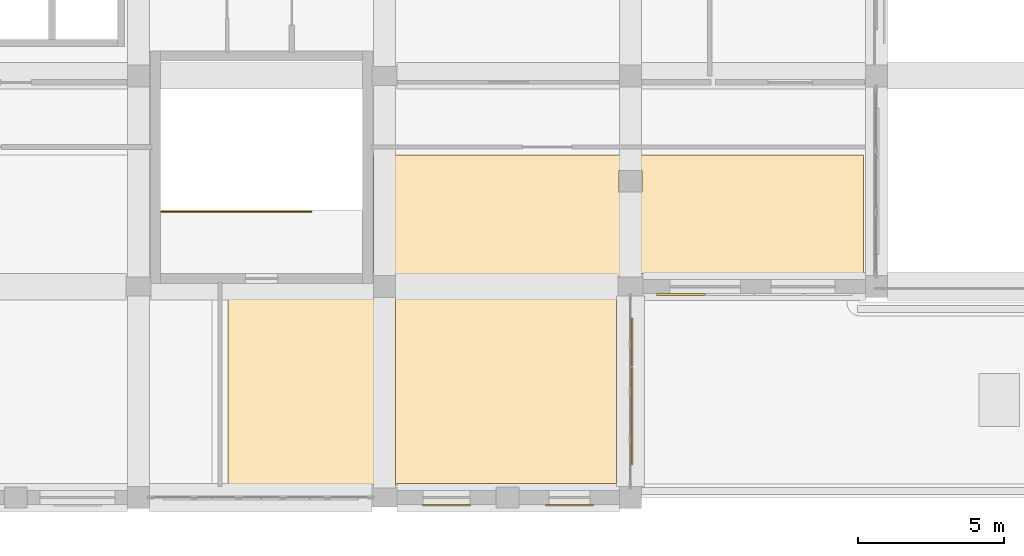
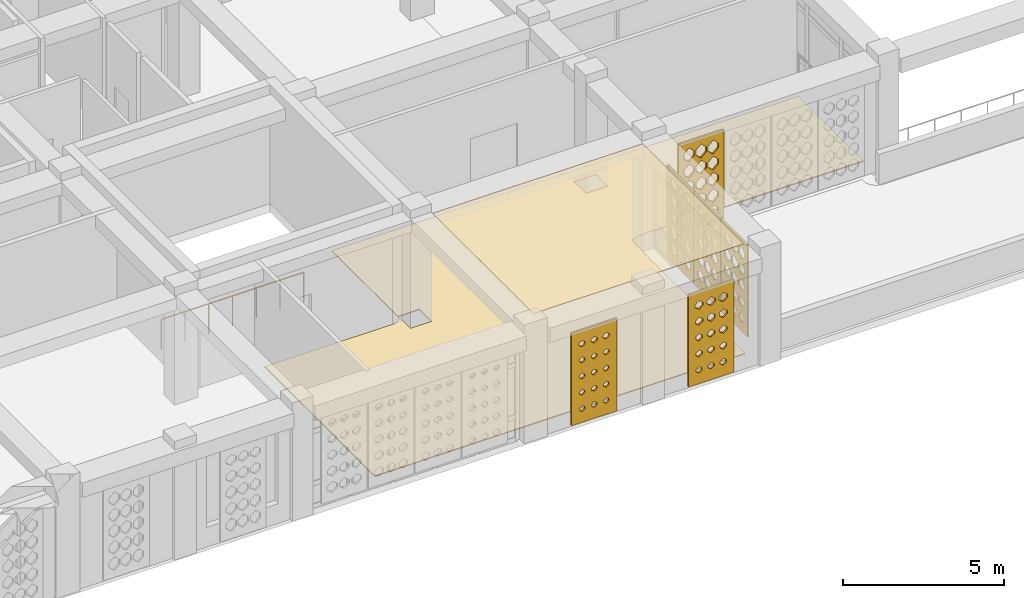
# One storey, part 77 of 111: 8 coverings, 1 railing.
"""IFC4 building model written with IfcOpenShell, lengths in metres."""

from ifc_helpers import new_model, si_unit, derived_unit, direction, frame, origin, origin_2d, place, context, subcontext, project, spatial, polyline, circle, outline, extrude, material, layer, layer_set, type_object, element, save


model = new_model("IFC4")

# Units and contexts
model_context = context("Model", 3, precision=1e-05, world=origin(), true_north=direction((0.0, 1.0)))
body_context = subcontext(model_context, "Body", "Model", "MODEL_VIEW")
ifc_project = project(units=[si_unit("LENGTHUNIT", "METRE"), si_unit("AREAUNIT", "SQUARE_METRE"), si_unit("VOLUMEUNIT", "CUBIC_METRE"), si_unit("PLANEANGLEUNIT", "RADIAN"), si_unit("MASSUNIT", "GRAM", prefix="KILO"), derived_unit("THERMALTRANSMITTANCEUNIT", [(si_unit("POWERUNIT", "WATT"), 1), (si_unit("LENGTHUNIT", "METRE"), -2), (si_unit("THERMODYNAMICTEMPERATUREUNIT", "KELVIN"), -1)])], contexts=[model_context])

# Site, building, storey
site_placement = place(None, origin())
site = spatial("IfcSite", under=ifc_project, at=site_placement, CompositionType="ELEMENT")
building_placement = place(site_placement, origin())
building = spatial("IfcBuilding", under=site, at=building_placement, Name="Veybourne Emporium", CompositionType="ELEMENT")
storey_placement = place(building_placement, frame((0.0, 0.0, 9.89990234375)))
storey = spatial("IfcBuildingStorey", under=building, at=storey_placement, Name="L02", CompositionType="ELEMENT", Elevation=9.89990234375)

# Coverings
ifc_material_1 = material(Name="Mineral Acoustic Ceiling", Category="gypsum")
ifc_layer_1 = layer(ifc_material_1, 0.02490234375)
ifc_layer_set_1 = layer_set([ifc_layer_1], Name="Mineral Acoustic Ceiling")
covering_type_1 = type_object("IfcCoveringType", Name="Ceiling_CLG-01", PredefinedType="CEILING", material=ifc_layer_set_1)
covering_1_placement = place(storey_placement, frame((0.0, 0.0, 4.155029296875)))
element("IfcCovering", 1, at=covering_1_placement, inside=storey, type_object=covering_type_1, Name="L02 coffered acoustic ceiling 02", PredefinedType="CEILING", context=body_context, shape_type="SweptSolid", body=[
    extrude(outline(polyline([(42.373046875, 0.43994140625), (42.373046875, 6.820068359375), (42.375, 6.820068359375), (42.375, 6.751953125), (49.927001953125, 6.751953125), (49.927001953125, 0.472900390625), (42.425048828125, 0.472900390625), (42.425048828125, 0.43994140625), (42.373046875, 0.43994140625)])), origin(), (0.0, 0.0, 1.0), 0.025146484375),
])
ifc_material_2 = material(Name="European Oak Parquet", Category="wood")
ifc_layer_2 = layer(ifc_material_2, 0.034912109375)
ifc_layer_set_2 = layer_set([ifc_layer_2], Name="European Oak Parquet")
covering_type_2 = type_object("IfcCoveringType", Name="Flooring_FLR-02", PredefinedType="FLOORING", material=ifc_layer_set_2)
covering_2_placement = place(storey_placement, origin())
element("IfcCovering", 2, at=covering_2_placement, inside=storey, type_object=covering_type_2, Name="L02 floor finish 02", PredefinedType="FLOORING", context=body_context, shape_type="SweptSolid", body=[
    extrude(outline(polyline([(41.294921875, 7.29296875), (41.310546875, 7.295166015625), (41.329833984375, 7.299072265625), (41.344970703125, 7.302978515625), (41.36376953125, 7.30859375), (41.378662109375, 7.31396484375), (41.396728515625, 7.3212890625), (41.410888671875, 7.328125), (41.42822265625, 7.33740234375), (41.441650390625, 7.345458984375), (41.4580078125, 7.3564453125), (41.470703125, 7.36572265625), (41.48583984375, 7.378173828125), (41.497314453125, 7.388671875), (41.511474609375, 7.402587890625), (41.52197265625, 7.414306640625), (41.5341796875, 7.42919921875), (41.543701171875, 7.44189453125), (41.5546875, 7.458251953125), (41.562744140625, 7.4716796875), (41.572021484375, 7.489013671875), (41.57861328125, 7.503173828125), (41.586181640625, 7.521484375), (41.59130859375, 7.5361328125), (41.59716796875, 7.554931640625), (41.600830078125, 7.570068359375), (41.604736328125, 7.589599609375), (41.607177734375, 7.60498046875), (41.60888671875, 7.62451171875), (41.60986328125, 7.64013671875), (41.610107421875, 7.64990234375), (41.610107421875, 11.68994140625), (58.360107421875, 11.68994140625), (58.360107421875, 7.639892578125), (50.39990234375, 7.639892578125), (50.39013671875, 7.6396484375), (50.36669921875, 7.638671875), (50.34716796875, 7.63671875), (50.323974609375, 7.63330078125), (50.3046875, 7.62939453125), (50.28173828125, 7.623779296875), (50.262939453125, 7.617919921875), (50.24072265625, 7.610107421875), (50.22265625, 7.6025390625), (50.201416015625, 7.592529296875), (50.18408203125, 7.583251953125), (50.163818359375, 7.571044921875), (50.1474609375, 7.56005859375), (50.128662109375, 7.546142578125), (50.113525390625, 7.53369140625), (50.109375, 7.530029296875), (49.969970703125, 7.530029296875), (49.969970703125, 7.29248046875), (49.966796875, 7.276123046875), (49.96337890625, 7.2529296875), (49.96142578125, 7.2333984375), (49.960205078125, 7.2099609375), (49.9599609375, 7.199951171875), (49.9599609375, 0.43994140625), (36.659912109375, 0.43994140625), (36.659912109375, 7.2900390625), (41.25, 7.2900390625), (41.259765625, 7.290283203125), (41.275390625, 7.291015625), (41.294921875, 7.29296875)]), holes=[polyline([(42.3798828125, 7.580078125), (41.6201171875, 7.580078125), (41.6201171875, 6.820068359375), (42.3798828125, 6.820068359375), (42.3798828125, 7.580078125)]), polyline([(50.794921875, 11.1650390625), (50.0048828125, 11.1650390625), (50.0048828125, 10.43505859375), (50.794921875, 10.43505859375), (50.794921875, 11.1650390625)])]), origin(), (0.0, 0.0, 1.0), 0.03515625),
])

# Railing
ifc_material_3 = material(Name="Brushed Stainless Steel", Category="steel")
railing_type = type_object("IfcRailingType", Name="Guard_GR-01", PredefinedType="GUARDRAIL", material=ifc_material_3)
railing_placement = place(storey_placement, frame((34.3701171875, 9.760009765625, 0.0)))
element("IfcRailing", 3, at=railing_placement, inside=storey, type_object=railing_type, Name="L02 ST-12 top well guardrail", PredefinedType="GUARDRAIL", context=body_context, shape_type="SweptSolid", body=[
    extrude(circle(Radius=0.02392578125, at=origin_2d()), frame((0.0, 0.0, 1.1259765625), z_axis=(1.0, 0.0, 0.0), x_axis=(0.0, 1.0, 0.0)), (0.0, 0.0, 1.0), 5.119873046875),
    extrude(circle(Radius=0.02099609375, at=origin_2d()), origin(), (0.0, 0.0, 1.0), 1.101806640625),
    extrude(circle(Radius=0.02099609375, at=origin_2d()), frame((0.853271484375, 0.0, 0.0)), (0.0, 0.0, 1.0), 1.101806640625),
    extrude(circle(Radius=0.02099609375, at=origin_2d()), frame((1.70654296875, 0.0, 0.0)), (0.0, 0.0, 1.0), 1.101806640625),
    extrude(circle(Radius=0.02099609375, at=origin_2d()), frame((2.56005859375, 0.0, 0.0)), (0.0, 0.0, 1.0), 1.101806640625),
    extrude(circle(Radius=0.02099609375, at=origin_2d()), frame((3.413330078125, 0.0, 0.0)), (0.0, 0.0, 1.0), 1.101806640625),
    extrude(circle(Radius=0.02099609375, at=origin_2d()), frame((4.2666015625, 0.0, 0.0)), (0.0, 0.0, 1.0), 1.101806640625),
    extrude(circle(Radius=0.02099609375, at=origin_2d()), frame((5.119873046875, 0.0, 0.0)), (0.0, 0.0, 1.0), 1.101806640625),
])

# Coverings
ifc_material_4 = material(Name="Warm-White Perforated Aluminium Screen Alloy", Category="aluminium")
ifc_layer_3 = layer(ifc_material_4, 0.06005859375)
ifc_layer_set_3 = layer_set([ifc_layer_3], Name="Warm-White Perforated Aluminium Screen Alloy")
covering_type_3 = type_object("IfcCoveringType", Name="WaveScreen_SCR-01", PredefinedType="CLADDING", material=ifc_layer_set_3)
covering_3_placement = place(storey_placement, frame((50.494140625, 1.945068359375, 1.815185546875), z_axis=(-1.0, 0.0, 0.0), x_axis=(0.0, -1.0, 0.0)))
element("IfcCovering", 4, at=covering_3_placement, inside=storey, type_object=covering_type_3, Name="L02 wave-perforated aluminium screen SCR-01 (27C.3)", PredefinedType="CLADDING", context=body_context, shape_type="SweptSolid", body=[
    extrude(outline(polyline([(-0.81982421875, -1.7548828125), (0.81982421875, -1.7548828125), (0.81982421875, 1.7548828125), (-0.81982421875, 1.7548828125), (-0.81982421875, -1.7548828125)]), holes=[polyline([(-0.433349609375, -1.045166015625), (-0.273681640625, -1.162109375), (-0.273681640625, -1.293701171875), (-0.433349609375, -1.410888671875), (-0.593017578125, -1.293701171875), (-0.593017578125, -1.162109375), (-0.433349609375, -1.045166015625)]), polyline([(-0.433349609375, -0.4169921875), (-0.26220703125, -0.543212890625), (-0.26220703125, -0.684814453125), (-0.433349609375, -0.810791015625), (-0.6044921875, -0.684814453125), (-0.6044921875, -0.543212890625), (-0.433349609375, -0.4169921875)]), polyline([(-0.433349609375, 0.2109375), (-0.250732421875, 0.075927734375), (-0.250732421875, -0.075927734375), (-0.433349609375, -0.2109375), (-0.615966796875, -0.075927734375), (-0.615966796875, 0.075927734375), (-0.433349609375, 0.2109375)]), polyline([(-0.433349609375, 0.83837890625), (-0.2470703125, 0.69482421875), (-0.2470703125, 0.533203125), (-0.433349609375, 0.3896484375), (-0.61962890625, 0.533203125), (-0.61962890625, 0.69482421875), (-0.433349609375, 0.83837890625)]), polyline([(-0.433349609375, 1.465087890625), (-0.2470703125, 1.313232421875), (-0.2470703125, 1.142578125), (-0.433349609375, 0.990966796875), (-0.61962890625, 1.142578125), (-0.61962890625, 1.313232421875), (-0.433349609375, 1.465087890625)]), polyline([(0.0, -1.051513671875), (0.154296875, -1.16455078125), (0.154296875, -1.29150390625), (0.0, -1.404296875), (-0.154296875, -1.29150390625), (-0.154296875, -1.16455078125), (0.0, -1.051513671875)]), polyline([(0.0, -0.423583984375), (0.165771484375, -0.54541015625), (0.165771484375, -0.6826171875), (0.0, -0.804443359375), (-0.165771484375, -0.6826171875), (-0.165771484375, -0.54541015625), (0.0, -0.423583984375)]), polyline([(0.0, 0.20458984375), (0.177490234375, 0.07373046875), (0.177490234375, -0.07373046875), (0.0, -0.20458984375), (-0.177490234375, -0.07373046875), (-0.177490234375, 0.07373046875), (0.0, 0.20458984375)]), polyline([(0.0, 0.83251953125), (0.186279296875, 0.692626953125), (0.186279296875, 0.535400390625), (0.0, 0.3955078125), (-0.186279296875, 0.535400390625), (-0.186279296875, 0.692626953125), (0.0, 0.83251953125)]), polyline([(0.0, 1.45947265625), (0.186279296875, 1.311279296875), (0.186279296875, 1.144775390625), (0.0, 0.99658203125), (-0.186279296875, 1.144775390625), (-0.186279296875, 1.311279296875), (0.0, 1.45947265625)]), polyline([(0.433349609375, -1.057861328125), (0.58251953125, -1.166748046875), (0.58251953125, -1.289306640625), (0.433349609375, -1.398193359375), (0.2841796875, -1.289306640625), (0.2841796875, -1.166748046875), (0.433349609375, -1.057861328125)]), polyline([(0.433349609375, -0.429931640625), (0.593994140625, -0.547607421875), (0.593994140625, -0.680419921875), (0.433349609375, -0.798095703125), (0.272705078125, -0.680419921875), (0.272705078125, -0.547607421875), (0.433349609375, -0.429931640625)]), polyline([(0.433349609375, 0.1982421875), (0.60546875, 0.0712890625), (0.60546875, -0.0712890625), (0.433349609375, -0.1982421875), (0.260986328125, -0.0712890625), (0.260986328125, 0.0712890625), (0.433349609375, 0.1982421875)]), polyline([(0.433349609375, 0.826171875), (0.616943359375, 0.6904296875), (0.616943359375, 0.53759765625), (0.433349609375, 0.40185546875), (0.249755859375, 0.53759765625), (0.249755859375, 0.6904296875), (0.433349609375, 0.826171875)]), polyline([(0.433349609375, 1.45361328125), (0.61962890625, 1.30908203125), (0.61962890625, 1.146728515625), (0.433349609375, 1.00244140625), (0.2470703125, 1.146728515625), (0.2470703125, 1.30908203125), (0.433349609375, 1.45361328125)])]), origin(), (0.0, 0.0, 1.0), 0.06005859375),
])
ifc_layer_4 = layer(ifc_material_4, 0.06005859375)
ifc_layer_set_4 = layer_set([ifc_layer_4], Name="Warm-White Perforated Aluminium Screen Alloy")
covering_type_4 = type_object("IfcCoveringType", Name="WaveScreen_SCR-02", PredefinedType="CLADDING", material=ifc_layer_set_4)
covering_4_placement = place(storey_placement, frame((48.3125, -0.298095703125, 1.815185546875), z_axis=(0.0, 1.0, 0.0), x_axis=(-1.0, 0.0, 0.0)))
element("IfcCovering", 5, at=covering_4_placement, inside=storey, type_object=covering_type_4, Name="L02 wave-perforated aluminium screen SCR-02 (26A.1)", PredefinedType="CLADDING", context=body_context, shape_type="SweptSolid", body=[
    extrude(outline(polyline([(-0.81982421875, -1.7548828125), (0.81982421875, -1.7548828125), (0.81982421875, 1.7548828125), (-0.81982421875, 1.7548828125), (-0.81982421875, -1.7548828125)]), holes=[polyline([(-0.433349609375, -1.100341796875), (-0.31884765625, -1.181884765625), (-0.31884765625, -1.27392578125), (-0.433349609375, -1.355712890625), (-0.5478515625, -1.27392578125), (-0.5478515625, -1.181884765625), (-0.433349609375, -1.100341796875)]), polyline([(-0.433349609375, -0.4765625), (-0.31103515625, -0.564697265625), (-0.31103515625, -0.663330078125), (-0.433349609375, -0.75146484375), (-0.5556640625, -0.663330078125), (-0.5556640625, -0.564697265625), (-0.433349609375, -0.4765625)]), polyline([(-0.433349609375, 0.148681640625), (-0.3017578125, 0.053466796875), (-0.3017578125, -0.053466796875), (-0.433349609375, -0.148681640625), (-0.56494140625, -0.053466796875), (-0.56494140625, 0.053466796875), (-0.433349609375, 0.148681640625)]), polyline([(-0.433349609375, 0.775390625), (-0.29150390625, 0.672119140625), (-0.29150390625, 0.555908203125), (-0.433349609375, 0.45263671875), (-0.5751953125, 0.555908203125), (-0.5751953125, 0.672119140625), (-0.433349609375, 0.775390625)]), polyline([(-0.433349609375, 1.40283203125), (-0.2802734375, 1.291015625), (-0.2802734375, 1.1650390625), (-0.433349609375, 1.05322265625), (-0.586181640625, 1.1650390625), (-0.586181640625, 1.291015625), (-0.433349609375, 1.40283203125)]), polyline([(0.0, -1.10400390625), (0.111328125, -1.183349609375), (0.111328125, -1.272705078125), (0.0, -1.351806640625), (-0.111328125, -1.272705078125), (-0.111328125, -1.183349609375), (0.0, -1.10400390625)]), polyline([(0.0, -0.481201171875), (0.11865234375, -0.566162109375), (0.11865234375, -0.661865234375), (0.0, -0.74658203125), (-0.11865234375, -0.661865234375), (-0.11865234375, -0.566162109375), (0.0, -0.481201171875)]), polyline([(0.0, 0.143310546875), (0.127197265625, 0.051513671875), (0.127197265625, -0.051513671875), (0.0, -0.143310546875), (-0.127197265625, -0.051513671875), (-0.127197265625, 0.051513671875), (0.0, 0.143310546875)]), polyline([(0.0, 0.769287109375), (0.13720703125, 0.669921875), (0.13720703125, 0.55810546875), (0.0, 0.45849609375), (-0.13720703125, 0.55810546875), (-0.13720703125, 0.669921875), (0.0, 0.769287109375)]), polyline([(0.0, 1.396484375), (0.14794921875, 1.288818359375), (0.14794921875, 1.167236328125), (0.0, 1.059326171875), (-0.14794921875, 1.167236328125), (-0.14794921875, 1.288818359375), (0.0, 1.396484375)]), polyline([(0.433349609375, -1.107421875), (0.5419921875, -1.1845703125), (0.5419921875, -1.271484375), (0.433349609375, -1.348388671875), (0.32470703125, -1.271484375), (0.32470703125, -1.1845703125), (0.433349609375, -1.107421875)]), polyline([(0.433349609375, -0.485595703125), (0.548583984375, -0.567626953125), (0.548583984375, -0.660400390625), (0.433349609375, -0.742431640625), (0.318115234375, -0.660400390625), (0.318115234375, -0.567626953125), (0.433349609375, -0.485595703125)]), polyline([(0.433349609375, 0.13818359375), (0.556396484375, 0.0498046875), (0.556396484375, -0.0498046875), (0.433349609375, -0.13818359375), (0.31005859375, -0.0498046875), (0.31005859375, 0.0498046875), (0.433349609375, 0.13818359375)]), polyline([(0.433349609375, 0.763916015625), (0.56591796875, 0.66796875), (0.56591796875, 0.56005859375), (0.433349609375, 0.464111328125), (0.30078125, 0.56005859375), (0.30078125, 0.66796875), (0.433349609375, 0.763916015625)]), polyline([(0.433349609375, 1.390380859375), (0.576416015625, 1.28662109375), (0.576416015625, 1.16943359375), (0.433349609375, 1.0654296875), (0.290283203125, 1.16943359375), (0.290283203125, 1.28662109375), (0.433349609375, 1.390380859375)])]), origin(), (0.0, 0.0, 1.0), 0.06005859375),
])
covering_5_placement = place(storey_placement, frame((44.112548828125, -0.298095703125, 1.815185546875), z_axis=(0.0, 1.0, 0.0), x_axis=(-1.0, 0.0, 0.0)))
element("IfcCovering", 6, at=covering_5_placement, inside=storey, type_object=covering_type_4, Name="L02 wave-perforated aluminium screen SCR-02 (26B.1)", PredefinedType="CLADDING", context=body_context, shape_type="SweptSolid", body=[
    extrude(outline(polyline([(-0.81982421875, -1.7548828125), (0.81982421875, -1.7548828125), (0.81982421875, 1.7548828125), (-0.81982421875, 1.7548828125), (-0.81982421875, -1.7548828125)]), holes=[polyline([(-0.433349609375, -1.11767578125), (-0.3330078125, -1.188232421875), (-0.3330078125, -1.267578125), (-0.433349609375, -1.33837890625), (-0.53369140625, -1.267578125), (-0.53369140625, -1.188232421875), (-0.433349609375, -1.11767578125)]), polyline([(-0.433349609375, -0.503662109375), (-0.3330078125, -0.57421875), (-0.3330078125, -0.65380859375), (-0.433349609375, -0.724365234375), (-0.53369140625, -0.65380859375), (-0.53369140625, -0.57421875), (-0.433349609375, -0.503662109375)]), polyline([(-0.433349609375, 0.11279296875), (-0.331298828125, 0.04052734375), (-0.331298828125, -0.04052734375), (-0.433349609375, -0.11279296875), (-0.535400390625, -0.04052734375), (-0.535400390625, 0.04052734375), (-0.433349609375, 0.11279296875)]), polyline([(-0.433349609375, 0.7314453125), (-0.327392578125, 0.65625), (-0.327392578125, 0.57177734375), (-0.433349609375, 0.49658203125), (-0.539306640625, 0.57177734375), (-0.539306640625, 0.65625), (-0.433349609375, 0.7314453125)]), polyline([(-0.433349609375, 1.352294921875), (-0.321533203125, 1.272705078125), (-0.321533203125, 1.18310546875), (-0.433349609375, 1.103759765625), (-0.545166015625, 1.18310546875), (-0.545166015625, 1.272705078125), (-0.433349609375, 1.352294921875)]), polyline([(0.0, -1.11669921875), (0.100830078125, -1.18798828125), (0.100830078125, -1.26806640625), (0.0, -1.339111328125), (-0.100830078125, -1.26806640625), (-0.100830078125, -1.18798828125), (0.0, -1.11669921875)]), polyline([(0.0, -0.50390625), (0.10009765625, -0.574462890625), (0.10009765625, -0.653564453125), (0.0, -0.72412109375), (-0.10009765625, -0.653564453125), (-0.10009765625, -0.574462890625), (0.0, -0.50390625)]), polyline([(0.0, 0.111328125), (0.10107421875, 0.0400390625), (0.10107421875, -0.0400390625), (0.0, -0.111328125), (-0.10107421875, -0.0400390625), (-0.10107421875, 0.0400390625), (0.0, 0.111328125)]), polyline([(0.0, 0.72900390625), (0.10400390625, 0.655517578125), (0.10400390625, 0.572509765625), (0.0, 0.4990234375), (-0.10400390625, 0.572509765625), (-0.10400390625, 0.655517578125), (0.0, 0.72900390625)]), polyline([(0.0, 1.348876953125), (0.10888671875, 1.271484375), (0.10888671875, 1.1845703125), (0.0, 1.107177734375), (-0.10888671875, 1.1845703125), (-0.10888671875, 1.271484375), (0.0, 1.348876953125)]), polyline([(0.433349609375, -1.115478515625), (0.535400390625, -1.1875), (0.535400390625, -1.2685546875), (0.433349609375, -1.340576171875), (0.331298828125, -1.2685546875), (0.331298828125, -1.1875), (0.433349609375, -1.115478515625)]), polyline([(0.433349609375, -0.50390625), (0.533447265625, -0.57421875), (0.533447265625, -0.65380859375), (0.433349609375, -0.72412109375), (0.333251953125, -0.65380859375), (0.333251953125, -0.57421875), (0.433349609375, -0.50390625)]), polyline([(0.433349609375, 0.1103515625), (0.53369140625, 0.039794921875), (0.53369140625, -0.039794921875), (0.433349609375, -0.1103515625), (0.3330078125, -0.039794921875), (0.3330078125, 0.039794921875), (0.433349609375, 0.1103515625)]), polyline([(0.433349609375, 0.72705078125), (0.535888671875, 0.65478515625), (0.535888671875, 0.5732421875), (0.433349609375, 0.5009765625), (0.330810546875, 0.5732421875), (0.330810546875, 0.65478515625), (0.433349609375, 0.72705078125)]), polyline([(0.433349609375, 1.345947265625), (0.539794921875, 1.2705078125), (0.539794921875, 1.185546875), (0.433349609375, 1.110107421875), (0.326904296875, 1.185546875), (0.326904296875, 1.2705078125), (0.433349609375, 1.345947265625)])]), origin(), (0.0, 0.0, 1.0), 0.06005859375),
])
ifc_layer_5 = layer(ifc_material_4, 0.06005859375)
ifc_layer_set_5 = layer_set([ifc_layer_5], Name="Warm-White Perforated Aluminium Screen Alloy")
covering_type_5 = type_object("IfcCoveringType", Name="WaveScreen_SCR-03", PredefinedType="CLADDING", material=ifc_layer_set_5)
covering_6_placement = place(storey_placement, frame((50.494140625, 5.304931640625, 1.815185546875), z_axis=(-1.0, 0.0, 0.0), x_axis=(0.0, -1.0, 0.0)))
element("IfcCovering", 7, at=covering_6_placement, inside=storey, type_object=covering_type_5, Name="L02 wave-perforated aluminium screen SCR-03 (27C.1)", PredefinedType="CLADDING", context=body_context, shape_type="SweptSolid", body=[
    extrude(outline(polyline([(-0.81982421875, -1.7548828125), (0.81982421875, -1.7548828125), (0.81982421875, 1.7548828125), (-0.81982421875, 1.7548828125), (-0.81982421875, -1.7548828125)]), holes=[polyline([(-0.433349609375, -0.996826171875), (-0.2470703125, -1.144775390625), (-0.2470703125, -1.311279296875), (-0.433349609375, -1.458984375), (-0.61962890625, -1.311279296875), (-0.61962890625, -1.144775390625), (-0.433349609375, -0.996826171875)]), polyline([(-0.433349609375, -0.37109375), (-0.2470703125, -0.526611328125), (-0.2470703125, -0.701416015625), (-0.433349609375, -0.85693359375), (-0.61962890625, -0.701416015625), (-0.61962890625, -0.526611328125), (-0.433349609375, -0.37109375)]), polyline([(-0.433349609375, 0.25341796875), (-0.2470703125, 0.09130859375), (-0.2470703125, -0.09130859375), (-0.433349609375, -0.25341796875), (-0.61962890625, -0.09130859375), (-0.61962890625, 0.09130859375), (-0.433349609375, 0.25341796875)]), polyline([(-0.433349609375, 0.8759765625), (-0.2470703125, 0.708251953125), (-0.2470703125, 0.519775390625), (-0.433349609375, 0.35205078125), (-0.61962890625, 0.519775390625), (-0.61962890625, 0.708251953125), (-0.433349609375, 0.8759765625)]), polyline([(-0.433349609375, 1.491943359375), (-0.2470703125, 1.322998046875), (-0.2470703125, 1.133056640625), (-0.433349609375, 0.964111328125), (-0.61962890625, 1.133056640625), (-0.61962890625, 1.322998046875), (-0.433349609375, 1.491943359375)]), polyline([(0.0, -1.002685546875), (0.186279296875, -1.14697265625), (0.186279296875, -1.30908203125), (0.0, -1.453369140625), (-0.186279296875, -1.30908203125), (-0.186279296875, -1.14697265625), (0.0, -1.002685546875)]), polyline([(0.0, -0.376220703125), (0.186279296875, -0.5283203125), (0.186279296875, -0.69970703125), (0.0, -0.851806640625), (-0.186279296875, -0.69970703125), (-0.186279296875, -0.5283203125), (0.0, -0.376220703125)]), polyline([(0.0, 0.248779296875), (0.186279296875, 0.089599609375), (0.186279296875, -0.089599609375), (0.0, -0.248779296875), (-0.186279296875, -0.089599609375), (-0.186279296875, 0.089599609375), (0.0, 0.248779296875)]), polyline([(0.0, 0.872314453125), (0.186279296875, 0.70703125), (0.186279296875, 0.52099609375), (0.0, 0.355712890625), (-0.186279296875, 0.52099609375), (-0.186279296875, 0.70703125), (0.0, 0.872314453125)]), polyline([(0.0, 1.491943359375), (0.186279296875, 1.322998046875), (0.186279296875, 1.133056640625), (0.0, 0.964111328125), (-0.186279296875, 1.133056640625), (-0.186279296875, 1.322998046875), (0.0, 1.491943359375)]), polyline([(0.433349609375, -1.0087890625), (0.61962890625, -1.149169921875), (0.61962890625, -1.306884765625), (0.433349609375, -1.447265625), (0.2470703125, -1.306884765625), (0.2470703125, -1.149169921875), (0.433349609375, -1.0087890625)]), polyline([(0.433349609375, -0.3818359375), (0.61962890625, -0.530517578125), (0.61962890625, -0.697509765625), (0.433349609375, -0.84619140625), (0.2470703125, -0.697509765625), (0.2470703125, -0.530517578125), (0.433349609375, -0.3818359375)]), polyline([(0.433349609375, 0.243896484375), (0.61962890625, 0.087890625), (0.61962890625, -0.087890625), (0.433349609375, -0.243896484375), (0.2470703125, -0.087890625), (0.2470703125, 0.087890625), (0.433349609375, 0.243896484375)]), polyline([(0.433349609375, 0.868408203125), (0.61962890625, 0.70556640625), (0.61962890625, 0.5224609375), (0.433349609375, 0.359619140625), (0.2470703125, 0.5224609375), (0.2470703125, 0.70556640625), (0.433349609375, 0.868408203125)]), polyline([(0.433349609375, 1.49072265625), (0.61962890625, 1.322509765625), (0.61962890625, 1.13330078125), (0.433349609375, 0.96533203125), (0.2470703125, 1.13330078125), (0.2470703125, 1.322509765625), (0.433349609375, 1.49072265625)])]), origin(), (0.0, 0.0, 1.0), 0.06005859375),
])
ifc_layer_6 = layer(ifc_material_4, 0.06005859375)
ifc_layer_set_6 = layer_set([ifc_layer_6], Name="Warm-White Perforated Aluminium Screen Alloy")
covering_type_6 = type_object("IfcCoveringType", Name="WaveScreen_SCR-04", PredefinedType="CLADDING", material=ifc_layer_set_6)
covering_7_placement = place(storey_placement, frame((50.494140625, 3.625, 1.815185546875), z_axis=(-1.0, 0.0, 0.0), x_axis=(0.0, -1.0, 0.0)))
element("IfcCovering", 8, at=covering_7_placement, inside=storey, type_object=covering_type_6, Name="L02 wave-perforated aluminium screen SCR-04 (27C.2)", PredefinedType="CLADDING", context=body_context, shape_type="SweptSolid", body=[
    extrude(outline(polyline([(-0.81982421875, -1.7548828125), (0.81982421875, -1.7548828125), (0.81982421875, 1.7548828125), (-0.81982421875, 1.7548828125), (-0.81982421875, -1.7548828125)]), holes=[polyline([(-0.433349609375, -1.0205078125), (-0.25341796875, -1.1533203125), (-0.25341796875, -1.302734375), (-0.433349609375, -1.435546875), (-0.61328125, -1.302734375), (-0.61328125, -1.1533203125), (-0.433349609375, -1.0205078125)]), polyline([(-0.433349609375, -0.392822265625), (-0.2470703125, -0.534423828125), (-0.2470703125, -0.693603515625), (-0.433349609375, -0.835205078125), (-0.61962890625, -0.693603515625), (-0.61962890625, -0.534423828125), (-0.433349609375, -0.392822265625)]), polyline([(-0.433349609375, 0.234130859375), (-0.2470703125, 0.084228515625), (-0.2470703125, -0.084228515625), (-0.433349609375, -0.234130859375), (-0.61962890625, -0.084228515625), (-0.61962890625, 0.084228515625), (-0.433349609375, 0.234130859375)]), polyline([(-0.433349609375, 0.859619140625), (-0.2470703125, 0.702392578125), (-0.2470703125, 0.525634765625), (-0.433349609375, 0.368408203125), (-0.61962890625, 0.525634765625), (-0.61962890625, 0.702392578125), (-0.433349609375, 0.859619140625)]), polyline([(-0.433349609375, 1.483642578125), (-0.2470703125, 1.320068359375), (-0.2470703125, 1.135986328125), (-0.433349609375, 0.972412109375), (-0.61962890625, 1.135986328125), (-0.61962890625, 1.320068359375), (-0.433349609375, 1.483642578125)]), polyline([(0.0, -1.02685546875), (0.174560546875, -1.155517578125), (0.174560546875, -1.30029296875), (0.0, -1.42919921875), (-0.174560546875, -1.30029296875), (-0.174560546875, -1.155517578125), (0.0, -1.02685546875)]), polyline([(0.0, -0.39892578125), (0.18603515625, -0.53662109375), (0.18603515625, -0.69140625), (0.0, -0.8291015625), (-0.18603515625, -0.69140625), (-0.18603515625, -0.53662109375), (0.0, -0.39892578125)]), polyline([(0.0, 0.228515625), (0.186279296875, 0.082275390625), (0.186279296875, -0.082275390625), (0.0, -0.228515625), (-0.186279296875, -0.082275390625), (-0.186279296875, 0.082275390625), (0.0, 0.228515625)]), polyline([(0.0, 0.8544921875), (0.186279296875, 0.70068359375), (0.186279296875, 0.52734375), (0.0, 0.373291015625), (-0.186279296875, 0.52734375), (-0.186279296875, 0.70068359375), (0.0, 0.8544921875)]), polyline([(0.0, 1.479248046875), (0.186279296875, 1.318603515625), (0.186279296875, 1.137451171875), (0.0, 0.976806640625), (-0.186279296875, 1.137451171875), (-0.186279296875, 1.318603515625), (0.0, 1.479248046875)]), polyline([(0.433349609375, -1.033203125), (0.602783203125, -1.157958984375), (0.602783203125, -1.298095703125), (0.433349609375, -1.4228515625), (0.263916015625, -1.298095703125), (0.263916015625, -1.157958984375), (0.433349609375, -1.033203125)]), polyline([(0.433349609375, -0.405029296875), (0.6142578125, -0.538818359375), (0.6142578125, -0.689208984375), (0.433349609375, -0.822998046875), (0.25244140625, -0.689208984375), (0.25244140625, -0.538818359375), (0.433349609375, -0.405029296875)]), polyline([(0.433349609375, 0.222412109375), (0.61962890625, 0.080078125), (0.61962890625, -0.080078125), (0.433349609375, -0.222412109375), (0.2470703125, -0.080078125), (0.2470703125, 0.080078125), (0.433349609375, 0.222412109375)]), polyline([(0.433349609375, 0.84912109375), (0.61962890625, 0.69873046875), (0.61962890625, 0.529296875), (0.433349609375, 0.37890625), (0.2470703125, 0.529296875), (0.2470703125, 0.69873046875), (0.433349609375, 0.84912109375)]), polyline([(0.433349609375, 1.474609375), (0.61962890625, 1.31689453125), (0.61962890625, 1.13916015625), (0.433349609375, 0.9814453125), (0.2470703125, 1.13916015625), (0.2470703125, 1.31689453125), (0.433349609375, 1.474609375)])]), origin(), (0.0, 0.0, 1.0), 0.06005859375),
])
covering_8_placement = place(storey_placement, frame((52.10498046875, 6.90185546875, 1.815185546875), z_axis=(0.0, 1.0, 0.0), x_axis=(-1.0, 0.0, 0.0)))
element("IfcCovering", 9, at=covering_8_placement, inside=storey, type_object=covering_type_6, Name="L02 wave-perforated aluminium screen SCR-04 (29.4)", PredefinedType="CLADDING", context=body_context, shape_type="SweptSolid", body=[
    extrude(outline(polyline([(-0.81982421875, -1.7548828125), (0.81982421875, -1.7548828125), (0.81982421875, 1.7548828125), (-0.81982421875, 1.7548828125), (-0.81982421875, -1.7548828125)]), holes=[polyline([(-0.433349609375, -0.964111328125), (-0.2470703125, -1.133056640625), (-0.2470703125, -1.322998046875), (-0.433349609375, -1.491943359375), (-0.61962890625, -1.322998046875), (-0.61962890625, -1.133056640625), (-0.433349609375, -0.964111328125)]), polyline([(-0.433349609375, -0.35009765625), (-0.2470703125, -0.51904296875), (-0.2470703125, -0.708984375), (-0.433349609375, -0.8779296875), (-0.61962890625, -0.708984375), (-0.61962890625, -0.51904296875), (-0.433349609375, -0.35009765625)]), polyline([(-0.433349609375, 0.263916015625), (-0.2470703125, 0.094970703125), (-0.2470703125, -0.094970703125), (-0.433349609375, -0.263916015625), (-0.61962890625, -0.094970703125), (-0.61962890625, 0.094970703125), (-0.433349609375, 0.263916015625)]), polyline([(-0.433349609375, 0.8779296875), (-0.2470703125, 0.708984375), (-0.2470703125, 0.51904296875), (-0.433349609375, 0.35009765625), (-0.61962890625, 0.51904296875), (-0.61962890625, 0.708984375), (-0.433349609375, 0.8779296875)]), polyline([(-0.433349609375, 1.491943359375), (-0.2470703125, 1.322998046875), (-0.2470703125, 1.133056640625), (-0.433349609375, 0.964111328125), (-0.61962890625, 1.133056640625), (-0.61962890625, 1.322998046875), (-0.433349609375, 1.491943359375)]), polyline([(0.0, -0.96630859375), (0.186279296875, -1.1337890625), (0.186279296875, -1.322265625), (0.0, -1.48974609375), (-0.186279296875, -1.322265625), (-0.186279296875, -1.1337890625), (0.0, -0.96630859375)]), polyline([(0.0, -0.35009765625), (0.186279296875, -0.51904296875), (0.186279296875, -0.708984375), (0.0, -0.8779296875), (-0.186279296875, -0.708984375), (-0.186279296875, -0.51904296875), (0.0, -0.35009765625)]), polyline([(0.0, 0.263916015625), (0.186279296875, 0.094970703125), (0.186279296875, -0.094970703125), (0.0, -0.263916015625), (-0.186279296875, -0.094970703125), (-0.186279296875, 0.094970703125), (0.0, 0.263916015625)]), polyline([(0.0, 0.8779296875), (0.186279296875, 0.708984375), (0.186279296875, 0.51904296875), (0.0, 0.35009765625), (-0.186279296875, 0.51904296875), (-0.186279296875, 0.708984375), (0.0, 0.8779296875)]), polyline([(0.0, 1.491943359375), (0.186279296875, 1.322998046875), (0.186279296875, 1.133056640625), (0.0, 0.964111328125), (-0.186279296875, 1.133056640625), (-0.186279296875, 1.322998046875), (0.0, 1.491943359375)]), polyline([(0.433349609375, -0.969970703125), (0.61962890625, -1.135009765625), (0.61962890625, -1.32080078125), (0.433349609375, -1.486083984375), (0.2470703125, -1.32080078125), (0.2470703125, -1.135009765625), (0.433349609375, -0.969970703125)]), polyline([(0.433349609375, -0.35009765625), (0.61962890625, -0.51904296875), (0.61962890625, -0.708984375), (0.433349609375, -0.8779296875), (0.2470703125, -0.708984375), (0.2470703125, -0.51904296875), (0.433349609375, -0.35009765625)]), polyline([(0.433349609375, 0.263916015625), (0.61962890625, 0.094970703125), (0.61962890625, -0.094970703125), (0.433349609375, -0.263916015625), (0.2470703125, -0.094970703125), (0.2470703125, 0.094970703125), (0.433349609375, 0.263916015625)]), polyline([(0.433349609375, 0.8779296875), (0.61962890625, 0.708984375), (0.61962890625, 0.51904296875), (0.433349609375, 0.35009765625), (0.2470703125, 0.51904296875), (0.2470703125, 0.708984375), (0.433349609375, 0.8779296875)]), polyline([(0.433349609375, 1.491943359375), (0.61962890625, 1.322998046875), (0.61962890625, 1.133056640625), (0.433349609375, 0.964111328125), (0.2470703125, 1.133056640625), (0.2470703125, 1.322998046875), (0.433349609375, 1.491943359375)])]), origin(), (0.0, 0.0, 1.0), 0.06005859375),
])

save(model, "model.ifc")
